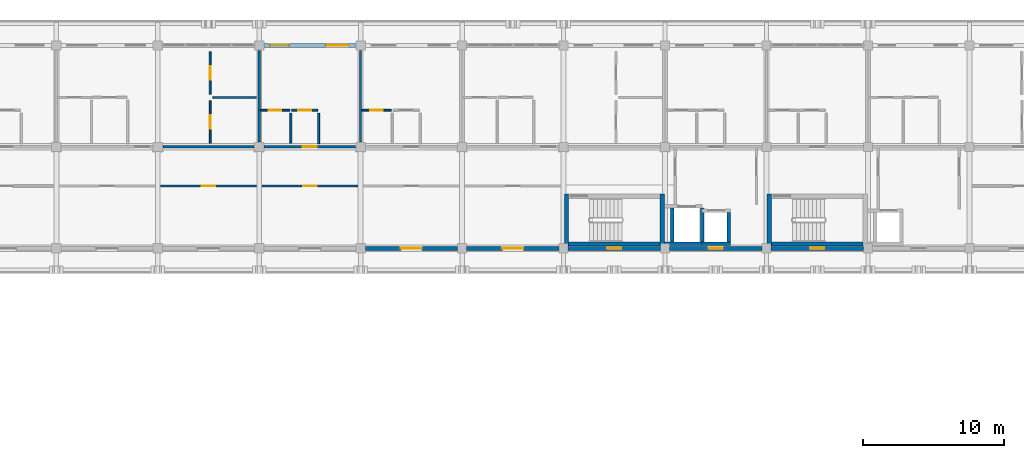
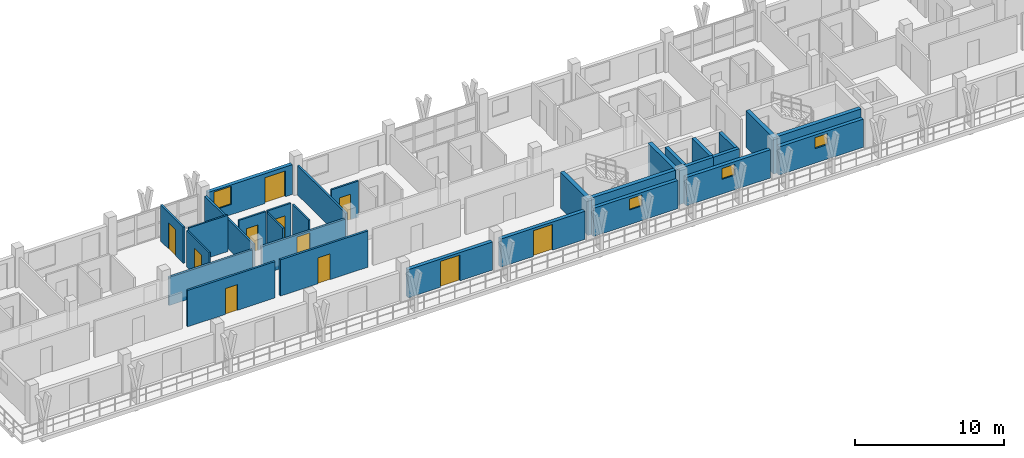
# One storey, part 45 of 76: 30 walls, 11 doors, 4 windows, 15 openings.
"""IFC4 building model written with IfcOpenShell, lengths in metres."""

from ifc_helpers import new_model, si_unit, direction, frame, frame_2d, origin, place, context, subcontext, project, spatial, rectangle, extrude, material, layer, layer_set, type_object, element, fill, save


model = new_model("IFC4")

# Units and contexts
model_context = context("Model", 3, precision=1e-05, world=origin(), true_north=direction((0.0, 1.0)))
body_context = subcontext(model_context, "Body", "Model", "MODEL_VIEW")
ifc_project = project(units=[si_unit("LENGTHUNIT", "METRE"), si_unit("AREAUNIT", "SQUARE_METRE"), si_unit("VOLUMEUNIT", "CUBIC_METRE"), si_unit("PLANEANGLEUNIT", "RADIAN"), si_unit("MASSUNIT", "GRAM", prefix="KILO")], contexts=[model_context])

# Site, building, storey
site_placement = place(None, origin())
site = spatial("IfcSite", under=ifc_project, at=site_placement, CompositionType="ELEMENT")
building_placement = place(site_placement, origin())
building = spatial("IfcBuilding", under=site, at=building_placement, Name="Suanplinth Sawtooth Commons", CompositionType="ELEMENT")
storey_placement = place(building_placement, frame((0.0, 0.0, 12.199951171875)))
storey = spatial("IfcBuildingStorey", under=building, at=storey_placement, Name="L03", CompositionType="ELEMENT", Elevation=12.199951171875)

# Walls
ifc_material_1 = material(Name="Concrete C40/50", Category="concrete")
ifc_layer_1 = layer(ifc_material_1, 0.300048828125, Name="Standard RC stair and lift core wall 300mm")
ifc_layer_set_1 = layer_set([ifc_layer_1], Name="Concrete C40/50")
wall_type_1 = type_object("IfcWallType", Name="W-CR02", PredefinedType="SHEAR", material=ifc_layer_set_1)
wall_1_placement = place(storey_placement, frame((43.550048828125, 108.300048828125, 0.0), z_axis=(0.0, 0.0, 1.0), x_axis=(1.0, 0.0, 0.0)))
element("IfcWall", 1, at=wall_1_placement, inside=storey, type_object=wall_type_1, Name="W-L03-C-A1-STS", PredefinedType="SHEAR", context=body_context, shape_type="SweptSolid", body=[
    extrude(rectangle(XDim=6.5, YDim=0.300048828125, at=frame_2d((3.25, 0.0))), origin(), (0.0, 0.0, 1.0), 2.97998046875),
])
for number, where, z_axis, x_axis, name in (
    (2, (43.39990234375, 108.14990234375, 0.0), (0.0, 0.0, 1.0), (0.0, 1.0, 0.0), "W-L03-C-A1-STW"),
    (3, (50.199951171875, 108.14990234375, 0.0), (0.0, 0.0, 1.0), (0.0, 1.0, 0.0), "W-L03-C-A1-STE"),
):
    element("IfcWall", number, at=place(storey_placement, frame(where, z_axis=z_axis, x_axis=x_axis)), inside=storey, type_object=wall_type_1, Name=name, PredefinedType="SHEAR", context=body_context, shape_type="SweptSolid", body=[
        extrude(rectangle(XDim=3.7001953125, YDim=0.300048828125, at=frame_2d((1.85009765625, 0.0))), origin(), (0.0, 0.0, 1.0), 2.97998046875),
    ])
wall_2_placement = place(storey_placement, frame((57.949951171875, 108.300048828125, 0.0), z_axis=(0.0, 0.0, 1.0), x_axis=(1.0, 0.0, 0.0)))
element("IfcWall", 4, at=wall_2_placement, inside=storey, type_object=wall_type_1, Name="W-L03-C-A2-STS", PredefinedType="SHEAR", context=body_context, shape_type="SweptSolid", body=[
    extrude(rectangle(XDim=6.5, YDim=0.300048828125, at=frame_2d((3.25, 0.0))), origin(), (0.0, 0.0, 1.0), 2.97998046875),
])
wall_3_placement = place(storey_placement, frame((57.800048828125, 108.14990234375, 0.0), z_axis=(0.0, 0.0, 1.0), x_axis=(0.0, 1.0, 0.0)))
element("IfcWall", 5, at=wall_3_placement, inside=storey, type_object=wall_type_1, Name="W-L03-C-A2-STW", PredefinedType="SHEAR", context=body_context, shape_type="SweptSolid", body=[
    extrude(rectangle(XDim=3.7001953125, YDim=0.300048828125, at=frame_2d((1.85009765625, 0.0))), origin(), (0.0, 0.0, 1.0), 2.97998046875),
])

# Wall, openings, door, window
ifc_material_2 = material(Name="Precast concrete C40/50", Category="concrete")
ifc_layer_2 = layer(ifc_material_2, 0.280029296875, Name="Insulated precast architectural facade wall 280mm")
ifc_layer_set_2 = layer_set([ifc_layer_2], Name="Precast concrete C40/50")
wall_type_2 = type_object("IfcWallType", Name="W-EX01", PredefinedType="ELEMENTEDWALL", material=ifc_layer_set_2)
wall_4_placement = place(storey_placement, frame((21.925048828125, 122.39990234375, 0.0), z_axis=(0.0, 0.0, 1.0), x_axis=(1.0, 0.0, 0.0)))
wall_4 = element("IfcWall", 6, at=wall_4_placement, inside=storey, type_object=wall_type_2, Name="Facade Wall W-L03-A-N-3", PredefinedType="ELEMENTEDWALL", context=body_context, shape_type="SweptSolid", body=[
    extrude(rectangle(XDim=6.550048828125, YDim=0.280029296875, at=frame_2d((3.27490234375, 0.0))), origin(), (0.0, 0.0, 1.0), 2.445068359375),
])
opening_1_placement = place(wall_4_placement, frame((4.39990234375, 0.0, 0.0)))
opening_1 = element("IfcOpeningElement", 7, at=opening_1_placement, cuts=wall_4, Name="Opening ED0224", PredefinedType="OPENING", context=body_context, shape_type="SweptSolid", body=[
    extrude(rectangle(XDim=1.60009765625, YDim=2.1201171875, at=frame_2d((0.800048828125, 1.06005859375))), frame((0.0, 0.15478515625, 0.0), z_axis=(0.0, -1.0, 0.0), x_axis=(1.0, 0.0, 0.0)), (0.0, 0.0, 1.0), 0.309814453125),
])
opening_2_placement = place(wall_4_placement, frame((0.449951171875, 0.0, 0.8349609375)))
opening_2 = element("IfcOpeningElement", 8, at=opening_2_placement, cuts=wall_4, Name="Opening W0334", PredefinedType="OPENING", context=body_context, shape_type="SweptSolid", body=[
    extrude(rectangle(XDim=1.35009765625, YDim=1.5, at=frame_2d((0.675048828125, 0.75))), frame((0.0, 0.15478515625, 0.0), z_axis=(0.0, -1.0, 0.0), x_axis=(1.0, 0.0, 0.0)), (0.0, 0.0, 1.0), 0.309814453125),
])
ifc_material_3 = material(Name="Anodized aluminium and low-E glass", Category="aluminium")
door_type_1 = type_object("IfcDoorType", Name="SD-02", OperationType="SLIDING_TO_RIGHT", PredefinedType="DOOR", material=ifc_material_3)
door_1_placement = place(opening_1_placement, frame((1.60009765625, 0.0, 0.0), z_axis=(0.0, 0.0, 1.0), x_axis=(-1.0, 0.0, 0.0)))
door_1 = element("IfcDoor", 9, at=door_1_placement, inside=storey, type_object=door_type_1, Name="Balcony Sliding Door L03-A-N-3", OperationType="SLIDING_TO_RIGHT", OverallHeight=2.1201171875, OverallWidth=1.60009765625, PredefinedType="DOOR", context=body_context, shape_type="SweptSolid", body=[
    extrude(rectangle(XDim=1.60009765625, YDim=2.1201171875, at=frame_2d((0.800048828125, 1.06005859375))), frame((0.0, 0.02490234375, 0.0), z_axis=(0.0, -1.0, 0.0), x_axis=(1.0, 0.0, 0.0)), (0.0, 0.0, 1.0), 0.050048828125),
])
fill(opening_1, door_1)
ifc_material_4 = material(Name="Thermally broken aluminium and low-E double glazing", Category="aluminium")
window_type_1 = type_object("IfcWindowType", Name="WN-14", PartitioningType="SINGLE_PANEL", PredefinedType="WINDOW", material=ifc_material_4)
window_1_placement = place(opening_2_placement, origin())
window_1 = element("IfcWindow", 10, at=window_1_placement, inside=storey, type_object=window_type_1, Name="Window L03-A-N-3", OverallHeight=1.5, OverallWidth=1.35009765625, PartitioningType="SINGLE_PANEL", PredefinedType="WINDOW", context=body_context, shape_type="SweptSolid", body=[
    extrude(rectangle(XDim=1.35009765625, YDim=1.5, at=frame_2d((0.675048828125, 0.75))), frame((0.0, 0.030029296875, 0.0), z_axis=(0.0, -1.0, 0.0), x_axis=(1.0, 0.0, 0.0)), (0.0, 0.0, 1.0), 0.06005859375),
])
fill(opening_2, window_1)

# Wall, opening, door
wall_5_placement = place(storey_placement, frame((29.125, 108.0, 0.0), z_axis=(0.0, 0.0, 1.0), x_axis=(1.0, 0.0, 0.0)))
wall_5 = element("IfcWall", 11, at=wall_5_placement, inside=storey, type_object=wall_type_2, Name="Courtyard Wall W-L03-A-S-4", PredefinedType="ELEMENTEDWALL", context=body_context, shape_type="SweptSolid", body=[
    extrude(rectangle(XDim=6.550048828125, YDim=0.280029296875, at=frame_2d((3.27490234375, 0.0))), origin(), (0.0, 0.0, 1.0), 2.31494140625),
])
opening_3_placement = place(wall_5_placement, frame((2.52490234375, 0.0, 0.0)))
opening_3 = element("IfcOpeningElement", 12, at=opening_3_placement, cuts=wall_5, Name="Opening ED0227", PredefinedType="OPENING", context=body_context, shape_type="SweptSolid", body=[
    extrude(rectangle(XDim=1.5, YDim=2.1201171875, at=frame_2d((0.75, 1.06005859375))), frame((0.0, 0.15478515625, 0.0), z_axis=(0.0, -1.0, 0.0), x_axis=(1.0, 0.0, 0.0)), (0.0, 0.0, 1.0), 0.309814453125),
])
door_type_2 = type_object("IfcDoorType", Name="SD-03", OperationType="SLIDING_TO_LEFT", PredefinedType="DOOR", material=ifc_material_3)
door_2_placement = place(opening_3_placement, frame((1.5, 0.0, 0.0), z_axis=(0.0, 0.0, 1.0), x_axis=(-1.0, 0.0, 0.0)))
door_2 = element("IfcDoor", 13, at=door_2_placement, inside=storey, type_object=door_type_2, Name="Courtyard Balcony Sliding Door L03-A-S-4", OperationType="SLIDING_TO_LEFT", OverallHeight=2.1201171875, OverallWidth=1.5, PredefinedType="DOOR", context=body_context, shape_type="SweptSolid", body=[
    extrude(rectangle(XDim=1.5, YDim=2.1201171875, at=frame_2d((0.75, 1.06005859375))), frame((0.0, 0.02490234375, 0.0), z_axis=(0.0, -1.0, 0.0), x_axis=(1.0, 0.0, 0.0)), (0.0, 0.0, 1.0), 0.050048828125),
])
fill(opening_3, door_2)

wall_6_placement = place(storey_placement, frame((36.324951171875, 108.0, 0.0), z_axis=(0.0, 0.0, 1.0), x_axis=(1.0, 0.0, 0.0)))
wall_6 = element("IfcWall", 14, at=wall_6_placement, inside=storey, type_object=wall_type_2, Name="Courtyard Wall W-L03-A-S-5", PredefinedType="ELEMENTEDWALL", context=body_context, shape_type="SweptSolid", body=[
    extrude(rectangle(XDim=6.550048828125, YDim=0.280029296875, at=frame_2d((3.27490234375, 0.0))), origin(), (0.0, 0.0, 1.0), 2.31494140625),
])
opening_4_placement = place(wall_6_placement, frame((2.52490234375, 0.0, 0.0)))
opening_4 = element("IfcOpeningElement", 15, at=opening_4_placement, cuts=wall_6, Name="Opening ED0228", PredefinedType="OPENING", context=body_context, shape_type="SweptSolid", body=[
    extrude(rectangle(XDim=1.5, YDim=2.1201171875, at=frame_2d((0.75, 1.06005859375))), frame((0.0, 0.15478515625, 0.0), z_axis=(0.0, -1.0, 0.0), x_axis=(1.0, 0.0, 0.0)), (0.0, 0.0, 1.0), 0.309814453125),
])
door_3_placement = place(opening_4_placement, frame((1.5, 0.0, 0.0), z_axis=(0.0, 0.0, 1.0), x_axis=(-1.0, 0.0, 0.0)))
door_3 = element("IfcDoor", 16, at=door_3_placement, inside=storey, type_object=door_type_2, Name="Courtyard Balcony Sliding Door L03-A-S-5", OperationType="SLIDING_TO_LEFT", OverallHeight=2.1201171875, OverallWidth=1.5, PredefinedType="DOOR", context=body_context, shape_type="SweptSolid", body=[
    extrude(rectangle(XDim=1.5, YDim=2.1201171875, at=frame_2d((0.75, 1.06005859375))), frame((0.0, 0.02490234375, 0.0), z_axis=(0.0, -1.0, 0.0), x_axis=(1.0, 0.0, 0.0)), (0.0, 0.0, 1.0), 0.050048828125),
])
fill(opening_4, door_3)

# Wall, opening, window
wall_7_placement = place(storey_placement, frame((43.52490234375, 108.0, 0.0), z_axis=(0.0, 0.0, 1.0), x_axis=(1.0, 0.0, 0.0)))
wall_7 = element("IfcWall", 17, at=wall_7_placement, inside=storey, type_object=wall_type_2, Name="Courtyard Wall W-L03-A-S-6", PredefinedType="ELEMENTEDWALL", context=body_context, shape_type="SweptSolid", body=[
    extrude(rectangle(XDim=6.550048828125, YDim=0.280029296875, at=frame_2d((3.27490234375, 0.0))), origin(), (0.0, 0.0, 1.0), 2.31494140625),
])
opening_5_placement = place(wall_7_placement, frame((2.77490234375, 0.0, 1.199951171875)))
opening_5 = element("IfcOpeningElement", 18, at=opening_5_placement, cuts=wall_7, Name="Opening W0337", PredefinedType="OPENING", context=body_context, shape_type="SweptSolid", body=[
    extrude(rectangle(XDim=1.0, YDim=0.89990234375, at=frame_2d((0.5, 0.449951171875))), frame((0.0, 0.15478515625, 0.0), z_axis=(0.0, -1.0, 0.0), x_axis=(1.0, 0.0, 0.0)), (0.0, 0.0, 1.0), 0.309814453125),
])
window_type_2 = type_object("IfcWindowType", Name="WN-12", PartitioningType="SINGLE_PANEL", PredefinedType="WINDOW", material=ifc_material_4)
window_2_placement = place(opening_5_placement, origin())
window_2 = element("IfcWindow", 19, at=window_2_placement, inside=storey, type_object=window_type_2, Name="Core Daylight Window L03-A-6", OverallHeight=0.89990234375, OverallWidth=1.0, PartitioningType="SINGLE_PANEL", PredefinedType="WINDOW", context=body_context, shape_type="SweptSolid", body=[
    extrude(rectangle(XDim=1.0, YDim=0.89990234375, at=frame_2d((0.5, 0.449951171875))), frame((0.0, 0.030029296875, 0.0), z_axis=(0.0, -1.0, 0.0), x_axis=(1.0, 0.0, 0.0)), (0.0, 0.0, 1.0), 0.06005859375),
])
fill(opening_5, window_2)

wall_8_placement = place(storey_placement, frame((50.72509765625, 108.0, 0.0), z_axis=(0.0, 0.0, 1.0), x_axis=(1.0, 0.0, 0.0)))
wall_8 = element("IfcWall", 20, at=wall_8_placement, inside=storey, type_object=wall_type_2, Name="Courtyard Wall W-L03-A-S-7", PredefinedType="ELEMENTEDWALL", context=body_context, shape_type="SweptSolid", body=[
    extrude(rectangle(XDim=6.5498046875, YDim=0.280029296875, at=frame_2d((3.27490234375, 0.0))), origin(), (0.0, 0.0, 1.0), 2.31494140625),
])
opening_6_placement = place(wall_8_placement, frame((2.77490234375, 0.0, 1.199951171875)))
opening_6 = element("IfcOpeningElement", 21, at=opening_6_placement, cuts=wall_8, Name="Opening W0339", PredefinedType="OPENING", context=body_context, shape_type="SweptSolid", body=[
    extrude(rectangle(XDim=1.0, YDim=0.89990234375, at=frame_2d((0.5, 0.449951171875))), frame((0.0, 0.15478515625, 0.0), z_axis=(0.0, -1.0, 0.0), x_axis=(1.0, 0.0, 0.0)), (0.0, 0.0, 1.0), 0.309814453125),
])
window_3_placement = place(opening_6_placement, origin())
window_3 = element("IfcWindow", 22, at=window_3_placement, inside=storey, type_object=window_type_2, Name="Core Daylight Window L03-A-7", OverallHeight=0.89990234375, OverallWidth=1.0, PartitioningType="SINGLE_PANEL", PredefinedType="WINDOW", context=body_context, shape_type="SweptSolid", body=[
    extrude(rectangle(XDim=1.0, YDim=0.89990234375, at=frame_2d((0.5, 0.449951171875))), frame((0.0, 0.030029296875, 0.0), z_axis=(0.0, -1.0, 0.0), x_axis=(1.0, 0.0, 0.0)), (0.0, 0.0, 1.0), 0.06005859375),
])
fill(opening_6, window_3)

wall_9_placement = place(storey_placement, frame((57.925048828125, 108.0, 0.0), z_axis=(0.0, 0.0, 1.0), x_axis=(1.0, 0.0, 0.0)))
wall_9 = element("IfcWall", 23, at=wall_9_placement, inside=storey, type_object=wall_type_2, Name="Courtyard Wall W-L03-A-S-8", PredefinedType="ELEMENTEDWALL", context=body_context, shape_type="SweptSolid", body=[
    extrude(rectangle(XDim=6.550048828125, YDim=0.280029296875, at=frame_2d((3.27490234375, 0.0))), origin(), (0.0, 0.0, 1.0), 2.31494140625),
])
opening_7_placement = place(wall_9_placement, frame((2.77490234375, 0.0, 1.199951171875)))
opening_7 = element("IfcOpeningElement", 24, at=opening_7_placement, cuts=wall_9, Name="Opening W0340", PredefinedType="OPENING", context=body_context, shape_type="SweptSolid", body=[
    extrude(rectangle(XDim=1.0, YDim=0.89990234375, at=frame_2d((0.5, 0.449951171875))), frame((0.0, 0.15478515625, 0.0), z_axis=(0.0, -1.0, 0.0), x_axis=(1.0, 0.0, 0.0)), (0.0, 0.0, 1.0), 0.309814453125),
])
window_4_placement = place(opening_7_placement, origin())
window_4 = element("IfcWindow", 25, at=window_4_placement, inside=storey, type_object=window_type_2, Name="Core Daylight Window L03-A-8", OverallHeight=0.89990234375, OverallWidth=1.0, PartitioningType="SINGLE_PANEL", PredefinedType="WINDOW", context=body_context, shape_type="SweptSolid", body=[
    extrude(rectangle(XDim=1.0, YDim=0.89990234375, at=frame_2d((0.5, 0.449951171875))), frame((0.0, 0.030029296875, 0.0), z_axis=(0.0, -1.0, 0.0), x_axis=(1.0, 0.0, 0.0)), (0.0, 0.0, 1.0), 0.06005859375),
])
fill(opening_7, window_4)

# Wall
ifc_layer_3 = layer(ifc_material_2, 0.159912109375, Name="Fire-rated corridor and lobby wall 160mm")
ifc_layer_set_3 = layer_set([ifc_layer_3], Name="Precast concrete C40/50")
wall_type_3 = type_object("IfcWallType", Name="W-FW01", PredefinedType="PARTITIONING", material=ifc_layer_set_3)
wall_10_placement = place(storey_placement, frame((14.7548828125, 115.199951171875, 0.0), z_axis=(0.0, 0.0, 1.0), x_axis=(1.0, 0.0, 0.0)))
element("IfcWall", 26, at=wall_10_placement, inside=storey, type_object=wall_type_3, Name="W-A-L03-U02-COR-S2", PredefinedType="PARTITIONING", context=body_context, shape_type="SweptSolid", body=[
    extrude(rectangle(XDim=6.490234375, YDim=0.159912109375, at=frame_2d((3.2451171875, 0.0))), origin(), (0.0, 0.0, 1.0), 2.31494140625),
])

# Wall, opening, door
wall_11_placement = place(storey_placement, frame((21.955078125, 115.199951171875, 0.0), z_axis=(0.0, 0.0, 1.0), x_axis=(1.0, 0.0, 0.0)))
wall_11 = element("IfcWall", 27, at=wall_11_placement, inside=storey, type_object=wall_type_3, Name="W-A-L03-U03-COR", PredefinedType="PARTITIONING", context=body_context, shape_type="SweptSolid", body=[
    extrude(rectangle(XDim=6.489990234375, YDim=0.159912109375, at=frame_2d((3.2451171875, 0.0))), origin(), (0.0, 0.0, 1.0), 2.31494140625),
])
opening_8_placement = place(wall_11_placement, frame((2.7451171875, 0.0, 0.0)))
opening_8 = element("IfcOpeningElement", 28, at=opening_8_placement, cuts=wall_11, Name="Opening FD0874", PredefinedType="OPENING", context=body_context, shape_type="SweptSolid", body=[
    extrude(rectangle(XDim=1.0, YDim=2.14990234375, at=frame_2d((0.5, 1.074951171875))), frame((0.0, 0.0947265625, 0.0), z_axis=(0.0, -1.0, 0.0), x_axis=(1.0, 0.0, 0.0)), (0.0, 0.0, 1.0), 0.189697265625),
])
ifc_material_5 = material(Name="Teak hardwood fire-rated door assembly", Category="wood")
door_type_3 = type_object("IfcDoorType", Name="FD-03", OperationType="NOTDEFINED", PredefinedType="DOOR", material=ifc_material_5)
door_4_placement = place(opening_8_placement, origin())
door_4 = element("IfcDoor", 29, at=door_4_placement, inside=storey, type_object=door_type_3, Name="Unit Entrance Door FD0874", OperationType="SINGLE_SWING_RIGHT", OverallHeight=2.14990234375, OverallWidth=1.0, PredefinedType="DOOR", context=body_context, shape_type="SweptSolid", body=[
    extrude(rectangle(XDim=1.0, YDim=2.14990234375, at=frame_2d((0.5, 1.074951171875))), frame((0.0, 0.02490234375, 0.0), z_axis=(0.0, -1.0, 0.0), x_axis=(1.0, 0.0, 0.0)), (0.0, 0.0, 1.0), 0.050048828125),
])
fill(opening_8, door_4)

wall_12_placement = place(storey_placement, frame((14.60009765625, 112.419921875, 0.0), z_axis=(0.0, 0.0, 1.0), x_axis=(1.0, 0.0, 0.0)))
wall_12 = element("IfcWall", 30, at=wall_12_placement, inside=storey, type_object=wall_type_3, Name="W-A-L03-COURTROOM-14-COR", PredefinedType="PARTITIONING", context=body_context, shape_type="SweptSolid", body=[
    extrude(rectangle(XDim=6.7998046875, YDim=0.159912109375, at=frame_2d((3.39990234375, 0.0))), origin(), (0.0, 0.0, 1.0), 2.97998046875),
])
opening_9_placement = place(wall_12_placement, frame((2.929931640625, 0.0, 0.0)))
opening_9 = element("IfcOpeningElement", 31, at=opening_9_placement, cuts=wall_12, Name="Opening D0912", PredefinedType="OPENING", context=body_context, shape_type="SweptSolid", body=[
    extrude(rectangle(XDim=0.93994140625, YDim=2.1201171875, at=frame_2d((0.469970703125, 1.06005859375))), frame((0.0, 0.0947265625, 0.0), z_axis=(0.0, -1.0, 0.0), x_axis=(1.0, 0.0, 0.0)), (0.0, 0.0, 1.0), 0.189697265625),
])
ifc_material_6 = material(Name="Teak hardwood", Category="wood")
door_type_4 = type_object("IfcDoorType", Name="D-15", OperationType="NOTDEFINED", PredefinedType="DOOR", material=ifc_material_6)
door_5_placement = place(opening_9_placement, frame((0.93994140625, 0.0, 0.0), z_axis=(0.0, 0.0, 1.0), x_axis=(-1.0, 0.0, 0.0)))
door_5 = element("IfcDoor", 32, at=door_5_placement, inside=storey, type_object=door_type_4, Name="Study Studio Door D0912", OperationType="SINGLE_SWING_RIGHT", OverallHeight=2.1201171875, OverallWidth=0.93994140625, PredefinedType="DOOR", context=body_context, shape_type="SweptSolid", body=[
    extrude(rectangle(XDim=0.93994140625, YDim=2.1201171875, at=frame_2d((0.469970703125, 1.06005859375))), frame((0.0, 0.02490234375, 0.0), z_axis=(0.0, -1.0, 0.0), x_axis=(1.0, 0.0, 0.0)), (0.0, 0.0, 1.0), 0.050048828125),
])
fill(opening_9, door_5)

wall_13_placement = place(storey_placement, frame((21.800048828125, 112.419921875, 0.0), z_axis=(0.0, 0.0, 1.0), x_axis=(1.0, 0.0, 0.0)))
wall_13 = element("IfcWall", 33, at=wall_13_placement, inside=storey, type_object=wall_type_3, Name="W-A-L03-COURTROOM-15-COR", PredefinedType="PARTITIONING", context=body_context, shape_type="SweptSolid", body=[
    extrude(rectangle(XDim=6.800048828125, YDim=0.159912109375, at=frame_2d((3.39990234375, 0.0))), origin(), (0.0, 0.0, 1.0), 2.97998046875),
])
opening_10_placement = place(wall_13_placement, frame((2.929931640625, 0.0, 0.0)))
opening_10 = element("IfcOpeningElement", 34, at=opening_10_placement, cuts=wall_13, Name="Opening D0913", PredefinedType="OPENING", context=body_context, shape_type="SweptSolid", body=[
    extrude(rectangle(XDim=0.93994140625, YDim=2.1201171875, at=frame_2d((0.469970703125, 1.06005859375))), frame((0.0, 0.0947265625, 0.0), z_axis=(0.0, -1.0, 0.0), x_axis=(1.0, 0.0, 0.0)), (0.0, 0.0, 1.0), 0.189697265625),
])
door_6_placement = place(opening_10_placement, frame((0.93994140625, 0.0, 0.0), z_axis=(0.0, 0.0, 1.0), x_axis=(-1.0, 0.0, 0.0)))
door_6 = element("IfcDoor", 35, at=door_6_placement, inside=storey, type_object=door_type_4, Name="Study Studio Door D0913", OperationType="SINGLE_SWING_LEFT", OverallHeight=2.1201171875, OverallWidth=0.93994140625, PredefinedType="DOOR", context=body_context, shape_type="SweptSolid", body=[
    extrude(rectangle(XDim=0.93994140625, YDim=2.1201171875, at=frame_2d((0.469970703125, 1.06005859375))), frame((0.0, 0.02490234375, 0.0), z_axis=(0.0, -1.0, 0.0), x_axis=(1.0, 0.0, 0.0)), (0.0, 0.0, 1.0), 0.050048828125),
])
fill(opening_10, door_6)

# Walls
ifc_layer_4 = layer(ifc_material_2, 0.14990234375, Name="Acoustic precast party demising wall 150mm")
ifc_layer_set_4 = layer_set([ifc_layer_4], Name="Precast concrete C40/50")
wall_type_4 = type_object("IfcWallType", Name="W-FW02", PredefinedType="PARTITIONING", material=ifc_layer_set_4)
for number, where, z_axis, x_axis, name in (
    (36, (21.60009765625, 115.554931640625, 0.0), (0.0, 0.0, 1.0), (0.0, 1.0, 0.0), "W-A-L03-U02-PTY"),
    (37, (28.800048828125, 115.554931640625, 0.0), (0.0, 0.0, 1.0), (0.0, 1.0, 0.0), "W-A-L03-U03-PTY"),
):
    element("IfcWall", number, at=place(storey_placement, frame(where, z_axis=z_axis, x_axis=x_axis)), inside=storey, type_object=wall_type_4, Name=name, PredefinedType="PARTITIONING", context=body_context, shape_type="SweptSolid", body=[
        extrude(rectangle(XDim=6.489990234375, YDim=0.14990234375, at=frame_2d((3.2451171875, 0.0))), origin(), (0.0, 0.0, 1.0), 2.4150390625),
    ])

# Wall, opening, door
ifc_material_7 = material(Name="Gypsum plasterboard on steel stud", Category="steel")
ifc_layer_5 = layer(ifc_material_7, 0.139892578125, Name="Fire-rated kitchen partition 140mm")
ifc_layer_set_5 = layer_set([ifc_layer_5], Name="Gypsum plasterboard on steel stud")
wall_type_5 = type_object("IfcWallType", Name="W-PT01", PredefinedType="PARTITIONING", material=ifc_layer_set_5)
wall_14_placement = place(storey_placement, frame((23.89990234375, 117.800048828125, 0.0), z_axis=(0.0, 0.0, 1.0), x_axis=(1.0, 0.0, 0.0)))
wall_14 = element("IfcWall", 38, at=wall_14_placement, inside=storey, type_object=wall_type_5, Name="W-A-L03-U03-KIT1", PredefinedType="PARTITIONING", context=body_context, shape_type="SweptSolid", body=[
    extrude(rectangle(XDim=1.85009765625, YDim=0.139892578125, at=frame_2d((0.925048828125, 0.0))), origin(), (0.0, 0.0, 1.0), 2.97998046875),
])
opening_11_placement = place(wall_14_placement, frame((0.465087890625, 0.0, 0.0)))
opening_11 = element("IfcOpeningElement", 39, at=opening_11_placement, cuts=wall_14, Name="Opening D0876", PredefinedType="OPENING", context=body_context, shape_type="SweptSolid", body=[
    extrude(rectangle(XDim=0.919921875, YDim=2.10009765625, at=frame_2d((0.4599609375, 1.050048828125))), frame((0.0, 0.0849609375, 0.0), z_axis=(0.0, -1.0, 0.0), x_axis=(1.0, 0.0, 0.0)), (0.0, 0.0, 1.0), 0.169677734375),
])
door_type_5 = type_object("IfcDoorType", Name="D-02", OperationType="NOTDEFINED", PredefinedType="DOOR", material=ifc_material_6)
door_7_placement = place(opening_11_placement, frame((0.919921875, 0.0, 0.0), z_axis=(0.0, 0.0, 1.0), x_axis=(-1.0, 0.0, 0.0)))
door_7 = element("IfcDoor", 40, at=door_7_placement, inside=storey, type_object=door_type_5, Name="Kitchen Door D0876", OperationType="SINGLE_SWING_RIGHT", OverallHeight=2.10009765625, OverallWidth=0.919921875, PredefinedType="DOOR", context=body_context, shape_type="SweptSolid", body=[
    extrude(rectangle(XDim=0.919921875, YDim=2.10009765625, at=frame_2d((0.4599609375, 1.050048828125))), frame((0.0, 0.02490234375, 0.0), z_axis=(0.0, -1.0, 0.0), x_axis=(1.0, 0.0, 0.0)), (0.0, 0.0, 1.0), 0.050048828125),
])
fill(opening_11, door_7)

# Wall
wall_15_placement = place(storey_placement, frame((25.820068359375, 115.429931640625, 0.0), z_axis=(0.0, 0.0, 1.0), x_axis=(0.0, 1.0, 0.0)))
element("IfcWall", 41, at=wall_15_placement, inside=storey, type_object=wall_type_5, Name="W-A-L03-U03-KIT2", PredefinedType="PARTITIONING", context=body_context, shape_type="SweptSolid", body=[
    extrude(rectangle(XDim=2.150146484375, YDim=0.139892578125, at=frame_2d((1.0751953125, 0.0))), origin(), (0.0, 0.0, 1.0), 2.97998046875),
])

# Wall, opening, door
ifc_layer_6 = layer(ifc_material_7, 0.1298828125, Name="Moisture-resistant bathroom partition 130mm")
ifc_layer_set_6 = layer_set([ifc_layer_6], Name="Gypsum plasterboard on steel stud")
wall_type_6 = type_object("IfcWallType", Name="W-PT02", PredefinedType="PARTITIONING", material=ifc_layer_set_6)
wall_16_placement = place(storey_placement, frame((21.679931640625, 117.794921875, 0.0), z_axis=(0.0, 0.0, 1.0), x_axis=(1.0, 0.0, 0.0)))
wall_16 = element("IfcWall", 42, at=wall_16_placement, inside=storey, type_object=wall_type_6, Name="W-A-L03-U03-BTH1", PredefinedType="PARTITIONING", context=body_context, shape_type="SweptSolid", body=[
    extrude(rectangle(XDim=2.10009765625, YDim=0.1298828125, at=frame_2d((1.050048828125, 0.0))), origin(), (0.0, 0.0, 1.0), 2.97998046875),
])
opening_12_placement = place(wall_16_placement, frame((0.610107421875, 0.0, 0.0)))
opening_12 = element("IfcOpeningElement", 43, at=opening_12_placement, cuts=wall_16, Name="Opening D0875", PredefinedType="OPENING", context=body_context, shape_type="SweptSolid", body=[
    extrude(rectangle(XDim=0.8798828125, YDim=2.10009765625, at=frame_2d((0.43994140625, 1.050048828125))), frame((0.0, 0.079833984375, 0.0), z_axis=(0.0, -1.0, 0.0), x_axis=(1.0, 0.0, 0.0)), (0.0, 0.0, 1.0), 0.15966796875),
])
door_type_6 = type_object("IfcDoorType", Name="D-14", OperationType="NOTDEFINED", PredefinedType="DOOR", material=ifc_material_6)
door_8_placement = place(opening_12_placement, frame((0.8798828125, 0.0, 0.0), z_axis=(0.0, 0.0, 1.0), x_axis=(-1.0, 0.0, 0.0)))
door_8 = element("IfcDoor", 44, at=door_8_placement, inside=storey, type_object=door_type_6, Name="Bathroom Door D0875", OperationType="SINGLE_SWING_LEFT", OverallHeight=2.10009765625, OverallWidth=0.8798828125, PredefinedType="DOOR", context=body_context, shape_type="SweptSolid", body=[
    extrude(rectangle(XDim=0.8798828125, YDim=2.10009765625, at=frame_2d((0.43994140625, 1.050048828125))), frame((0.0, 0.02490234375, 0.0), z_axis=(0.0, -1.0, 0.0), x_axis=(1.0, 0.0, 0.0)), (0.0, 0.0, 1.0), 0.050048828125),
])
fill(opening_12, door_8)

# Wall
wall_17_placement = place(storey_placement, frame((23.844970703125, 115.4599609375, 0.0), z_axis=(0.0, 0.0, 1.0), x_axis=(0.0, 1.0, 0.0)))
element("IfcWall", 45, at=wall_17_placement, inside=storey, type_object=wall_type_6, Name="W-A-L03-U03-BTH2", PredefinedType="PARTITIONING", context=body_context, shape_type="SweptSolid", body=[
    extrude(rectangle(XDim=2.130126953125, YDim=0.1298828125, at=frame_2d((1.06494140625, 0.0))), origin(), (0.0, 0.0, 1.0), 2.97998046875),
])

# Wall, opening, door
wall_18_placement = place(storey_placement, frame((28.8798828125, 117.794921875, 0.0), z_axis=(0.0, 0.0, 1.0), x_axis=(1.0, 0.0, 0.0)))
wall_18 = element("IfcWall", 46, at=wall_18_placement, inside=storey, type_object=wall_type_6, Name="W-A-L03-U04-BTH1", PredefinedType="PARTITIONING", context=body_context, shape_type="SweptSolid", body=[
    extrude(rectangle(XDim=2.10009765625, YDim=0.1298828125, at=frame_2d((1.050048828125, 0.0))), origin(), (0.0, 0.0, 1.0), 2.97998046875),
])
opening_13_placement = place(wall_18_placement, frame((0.610107421875, 0.0, 0.0)))
opening_13 = element("IfcOpeningElement", 47, at=opening_13_placement, cuts=wall_18, Name="Opening D0878", PredefinedType="OPENING", context=body_context, shape_type="SweptSolid", body=[
    extrude(rectangle(XDim=0.8798828125, YDim=2.10009765625, at=frame_2d((0.43994140625, 1.050048828125))), frame((0.0, 0.079833984375, 0.0), z_axis=(0.0, -1.0, 0.0), x_axis=(1.0, 0.0, 0.0)), (0.0, 0.0, 1.0), 0.15966796875),
])
door_9_placement = place(opening_13_placement, frame((0.8798828125, 0.0, 0.0), z_axis=(0.0, 0.0, 1.0), x_axis=(-1.0, 0.0, 0.0)))
door_9 = element("IfcDoor", 48, at=door_9_placement, inside=storey, type_object=door_type_6, Name="Bathroom Door D0878", OperationType="SINGLE_SWING_RIGHT", OverallHeight=2.10009765625, OverallWidth=0.8798828125, PredefinedType="DOOR", context=body_context, shape_type="SweptSolid", body=[
    extrude(rectangle(XDim=0.8798828125, YDim=2.10009765625, at=frame_2d((0.43994140625, 1.050048828125))), frame((0.0, 0.02490234375, 0.0), z_axis=(0.0, -1.0, 0.0), x_axis=(1.0, 0.0, 0.0)), (0.0, 0.0, 1.0), 0.050048828125),
])
fill(opening_13, door_9)

ifc_layer_7 = layer(ifc_material_7, 0.1201171875, Name="Acoustic bedroom partition 120mm")
ifc_layer_set_7 = layer_set([ifc_layer_7], Name="Gypsum plasterboard on steel stud")
wall_type_7 = type_object("IfcWallType", Name="W-PT03", PredefinedType="PARTITIONING", material=ifc_layer_set_7)
wall_19_placement = place(storey_placement, frame((18.1201171875, 115.43994140625, 0.0), z_axis=(0.0, 0.0, 1.0), x_axis=(0.0, 1.0, 0.0)))
wall_19 = element("IfcWall", 49, at=wall_19_placement, inside=storey, type_object=wall_type_7, Name="W-A-L03-U02-BED2", PredefinedType="PARTITIONING", context=body_context, shape_type="SweptSolid", body=[
    extrude(rectangle(XDim=3.0400390625, YDim=0.1201171875, at=frame_2d((1.52001953125, 0.0))), origin(), (0.0, 0.0, 1.0), 2.97998046875),
])
opening_14_placement = place(wall_19_placement, frame((1.0400390625, 0.0, 0.0)))
opening_14 = element("IfcOpeningElement", 50, at=opening_14_placement, cuts=wall_19, Name="Opening D0873", PredefinedType="OPENING", context=body_context, shape_type="SweptSolid", body=[
    extrude(rectangle(XDim=0.9599609375, YDim=2.14990234375, at=frame_2d((0.47998046875, 1.074951171875))), frame((0.0, 0.074951171875, 0.0), z_axis=(0.0, -1.0, 0.0), x_axis=(1.0, 0.0, 0.0)), (0.0, 0.0, 1.0), 0.14990234375),
])
door_type_7 = type_object("IfcDoorType", Name="D-13", OperationType="NOTDEFINED", PredefinedType="DOOR", material=ifc_material_6)
door_10_placement = place(opening_14_placement, frame((0.9599609375, 0.0, 0.0), z_axis=(0.0, 0.0, 1.0), x_axis=(-1.0, 0.0, 0.0)))
door_10 = element("IfcDoor", 51, at=door_10_placement, inside=storey, type_object=door_type_7, Name="Second Bedroom Door D0873", OperationType="SINGLE_SWING_LEFT", OverallHeight=2.14990234375, OverallWidth=0.9599609375, PredefinedType="DOOR", context=body_context, shape_type="SweptSolid", body=[
    extrude(rectangle(XDim=0.9599609375, YDim=2.14990234375, at=frame_2d((0.47998046875, 1.074951171875))), frame((0.0, 0.02490234375, 0.0), z_axis=(0.0, -1.0, 0.0), x_axis=(1.0, 0.0, 0.0)), (0.0, 0.0, 1.0), 0.050048828125),
])
fill(opening_14, door_10)

# Wall
ifc_layer_8 = layer(ifc_material_7, 0.125, Name="Acoustic study partition 125mm")
ifc_layer_set_8 = layer_set([ifc_layer_8], Name="Gypsum plasterboard on steel stud")
wall_type_8 = type_object("IfcWallType", Name="W-PT06", PredefinedType="PARTITIONING", material=ifc_layer_set_8)
wall_20_placement = place(storey_placement, frame((18.320068359375, 118.699951171875, 0.0), z_axis=(0.0, 0.0, 1.0), x_axis=(1.0, 0.0, 0.0)))
element("IfcWall", 52, at=wall_20_placement, inside=storey, type_object=wall_type_8, Name="W-A-L03-U02-BEDDIV", PredefinedType="PARTITIONING", context=body_context, shape_type="SweptSolid", body=[
    extrude(rectangle(XDim=3.059814453125, YDim=0.125, at=frame_2d((1.52978515625, 0.0))), origin(), (0.0, 0.0, 1.0), 2.97998046875),
])

# Wall, opening, door
ifc_layer_9 = layer(ifc_material_7, 0.135009765625, Name="Insulated bedroom demising partition 135mm")
ifc_layer_set_9 = layer_set([ifc_layer_9], Name="Gypsum plasterboard on steel stud")
wall_type_9 = type_object("IfcWallType", Name="W-PT07", PredefinedType="PARTITIONING", material=ifc_layer_set_9)
wall_21_placement = place(storey_placement, frame((18.1201171875, 118.919921875, 0.0), z_axis=(0.0, 0.0, 1.0), x_axis=(0.0, 1.0, 0.0)))
wall_21 = element("IfcWall", 53, at=wall_21_placement, inside=storey, type_object=wall_type_9, Name="W-A-L03-U02-BED1", PredefinedType="PARTITIONING", context=body_context, shape_type="SweptSolid", body=[
    extrude(rectangle(XDim=3.0400390625, YDim=0.135009765625, at=frame_2d((1.52001953125, 0.0))), origin(), (0.0, 0.0, 1.0), 2.97998046875),
])
opening_15_placement = place(wall_21_placement, frame((1.044921875, 0.0, 0.0)))
opening_15 = element("IfcOpeningElement", 54, at=opening_15_placement, cuts=wall_21, Name="Opening D0872", PredefinedType="OPENING", context=body_context, shape_type="SweptSolid", body=[
    extrude(rectangle(XDim=0.949951171875, YDim=2.14990234375, at=frame_2d((0.47509765625, 1.074951171875))), frame((0.0, 0.08251953125, 0.0), z_axis=(0.0, -1.0, 0.0), x_axis=(1.0, 0.0, 0.0)), (0.0, 0.0, 1.0), 0.164794921875),
])
door_type_8 = type_object("IfcDoorType", Name="D-03", OperationType="NOTDEFINED", PredefinedType="DOOR", material=ifc_material_6)
door_11_placement = place(opening_15_placement, frame((0.949951171875, 0.0, 0.0), z_axis=(0.0, 0.0, 1.0), x_axis=(-1.0, 0.0, 0.0)))
door_11 = element("IfcDoor", 55, at=door_11_placement, inside=storey, type_object=door_type_8, Name="Bedroom Door D0872", OperationType="SINGLE_SWING_RIGHT", OverallHeight=2.14990234375, OverallWidth=0.949951171875, PredefinedType="DOOR", context=body_context, shape_type="SweptSolid", body=[
    extrude(rectangle(XDim=0.949951171875, YDim=2.14990234375, at=frame_2d((0.47509765625, 1.074951171875))), frame((0.0, 0.02490234375, 0.0), z_axis=(0.0, -1.0, 0.0), x_axis=(1.0, 0.0, 0.0)), (0.0, 0.0, 1.0), 0.050048828125),
])
fill(opening_15, door_11)

# Walls
ifc_layer_10 = layer(ifc_material_2, 0.25, Name="Precast structural shear wall 250mm")
ifc_layer_set_10 = layer_set([ifc_layer_10], Name="Precast concrete C40/50")
wall_type_10 = type_object("IfcWallType", Name="W-SH01", PredefinedType="SHEAR", material=ifc_layer_set_10)
wall_22_placement = place(storey_placement, frame((50.35009765625, 108.324951171875, 0.0), z_axis=(0.0, 0.0, 1.0), x_axis=(1.0, 0.0, 0.0)))
element("IfcWall", 56, at=wall_22_placement, inside=storey, type_object=wall_type_10, Name="W-L03-FL1-S", PredefinedType="SHEAR", context=body_context, shape_type="SweptSolid", body=[
    extrude(rectangle(XDim=2.6748046875, YDim=0.25, at=frame_2d((1.33740234375, 0.0))), origin(), (0.0, 0.0, 1.0), 2.97998046875),
])
for number, where, z_axis, x_axis, name in (
    (57, (50.925048828125, 108.449951171875, 0.0), (0.0, 0.0, 1.0), (0.0, 1.0, 0.0), "W-L03-FL1-W"),
    (58, (53.02490234375, 108.449951171875, 0.0), (0.0, 0.0, 1.0), (0.0, 1.0, 0.0), "W-L03-FL1-DIV"),
):
    element("IfcWall", number, at=place(storey_placement, frame(where, z_axis=z_axis, x_axis=x_axis)), inside=storey, type_object=wall_type_10, Name=name, PredefinedType="SHEAR", context=body_context, shape_type="SweptSolid", body=[
        extrude(rectangle(XDim=2.400146484375, YDim=0.25, at=frame_2d((1.2001953125, 0.0))), origin(), (0.0, 0.0, 1.0), 2.97998046875),
    ])
wall_23_placement = place(storey_placement, frame((53.02490234375, 108.324951171875, 0.0), z_axis=(0.0, 0.0, 1.0), x_axis=(1.0, 0.0, 0.0)))
element("IfcWall", 59, at=wall_23_placement, inside=storey, type_object=wall_type_10, Name="W-L03-LF1-S", PredefinedType="SHEAR", context=body_context, shape_type="SweptSolid", body=[
    extrude(rectangle(XDim=2.025146484375, YDim=0.25, at=frame_2d((1.0126953125, 0.0))), origin(), (0.0, 0.0, 1.0), 2.97998046875),
])
wall_24_placement = place(storey_placement, frame((54.925048828125, 108.449951171875, 0.0), z_axis=(0.0, 0.0, 1.0), x_axis=(0.0, 1.0, 0.0)))
element("IfcWall", 60, at=wall_24_placement, inside=storey, type_object=wall_type_10, Name="W-L03-LF1-E", PredefinedType="SHEAR", context=body_context, shape_type="SweptSolid", body=[
    extrude(rectangle(XDim=2.10009765625, YDim=0.25, at=frame_2d((1.050048828125, 0.0))), origin(), (0.0, 0.0, 1.0), 2.97998046875),
])

save(model, "model.ifc")
